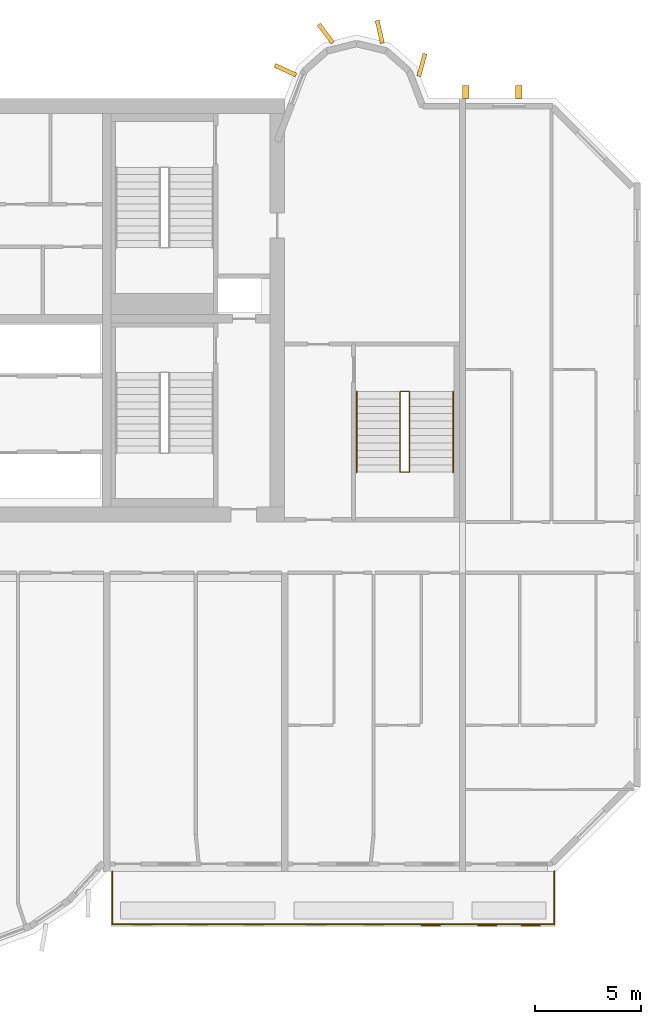
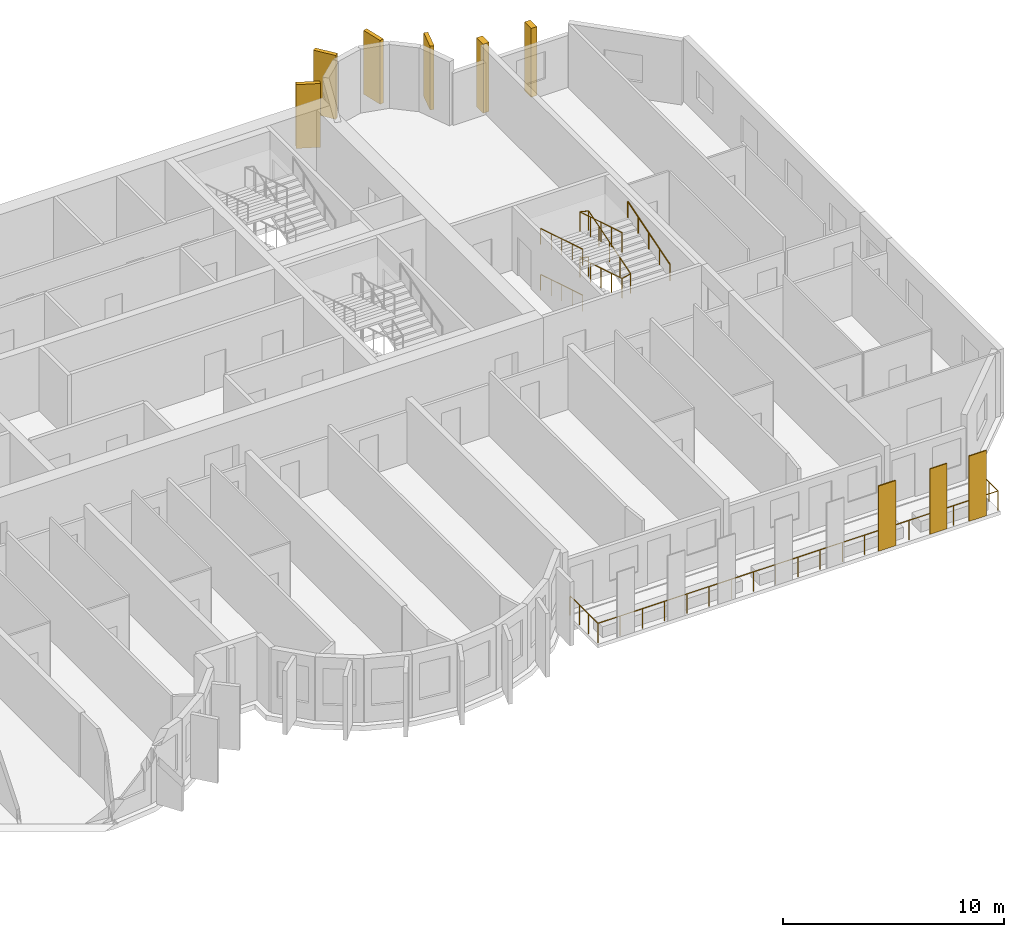
# One storey, part 12 of 13: 9 coverings, 5 railings.
"""IFC4 building model written with IfcOpenShell, lengths in metres."""

from ifc_helpers import new_model, si_unit, direction, frame, origin, origin_2d, place, context, subcontext, project, spatial, rectangle, circle, extrude, source, transform, mapped, material, layer, layer_set, material_profile, profile_set, type_object, element, save


model = new_model("IFC4")

# Units and contexts
model_context = context("Model", 3, precision=1e-05, world=origin(), true_north=direction((0.0, 1.0)))
body_context = subcontext(model_context, "Body", "Model", "MODEL_VIEW")
ifc_project = project(units=[si_unit("LENGTHUNIT", "METRE"), si_unit("AREAUNIT", "SQUARE_METRE"), si_unit("VOLUMEUNIT", "CUBIC_METRE"), si_unit("PLANEANGLEUNIT", "RADIAN"), si_unit("MASSUNIT", "GRAM", prefix="KILO")], contexts=[model_context])

# Site, building, storey
site_placement = place(None, origin())
site = spatial("IfcSite", under=ifc_project, at=site_placement, CompositionType="ELEMENT")
building_placement = place(site_placement, origin())
building = spatial("IfcBuilding", under=site, at=building_placement, Name="Vanashikhar Sky Hotel", CompositionType="ELEMENT")
storey_placement = place(building_placement, frame((0.0, 0.0, 166.800048828125)))
storey = spatial("IfcBuildingStorey", under=building, at=storey_placement, Name="L40", CompositionType="ELEMENT", Elevation=166.800048828125)

# Coverings
ifc_material_1 = material(Name="Terracotta", Category="masonry")
ifc_layer = layer(ifc_material_1, 0.06005859375)
ifc_layer_set = layer_set([ifc_layer], Name="Terracotta baguette screen")
covering_type_1 = type_object("IfcCoveringType", Name="Terracotta baguette screen", PredefinedType="CLADDING", material=ifc_layer_set)
shared_shape_1 = source(origin(), body_context, "Body", "SweptSolid", [
    extrude(rectangle(XDim=0.89990234375, YDim=0.06005859375, at=origin_2d()), origin(), (0.0, 0.0, 1.0), 3.60009765625),
])
for number, where, z_axis, x_axis, name in (
    (1, (82.5, 2.929931640625, -0.050048828125), (0.0, 0.0, 1.0), (1.0, 0.0, 0.0), "Terracotta screen"),
    (2, (85.175048828125, 2.929931640625, -0.050048828125), (0.0, 0.0, 1.0), (1.0, 0.0, 0.0), "Terracotta screen"),
    (3, (87.22509765625, 2.929931640625, -0.050048828125), (0.0, 0.0, 1.0), (1.0, 0.0, 0.0), "Terracotta screen"),
):
    element("IfcCovering", number, at=place(storey_placement, frame(where, z_axis=z_axis, x_axis=x_axis)), inside=storey, type_object=covering_type_1, Name=name, PredefinedType="CLADDING", context=body_context, shape_type="MappedRepresentation", body=[
        mapped(shared_shape_1, transform((0.0, 0.0, 0.0), scale=1.0)),
    ])
ifc_material_2 = material(Name="Concrete M60 dark", Category="concrete")
ifc_material_profile_1 = material_profile(ifc_material_2, rectangle(XDim=1.10009765625, YDim=0.199951171875, at=origin_2d()))
ifc_profile_set_1 = profile_set([ifc_material_profile_1], Name="Rear lobe fin 1100 x 200")
covering_type_2 = type_object("IfcCoveringType", Name="Rear lobe fin 1100 x 200", PredefinedType="CLADDING", material=ifc_profile_set_1)
shared_shape_2 = source(origin(), body_context, "Body", "SweptSolid", [
    extrude(rectangle(XDim=1.10009765625, YDim=0.199951171875, at=origin_2d()), origin(), (0.0, 0.0, 1.0), 3.52001953125),
])
for number, where, z_axis, x_axis, name in (
    (4, (75.63037109375, 43.33447265625, 0.0), (0.0, 0.0, 1.0), (-0.908004291068, 0.418960866193, 0.0), "Fin R2-1"),
    (5, (77.5380859375, 45.06640625, 0.0), (0.0, 0.0, 1.0), (-0.602065892195, 0.798446404874, 0.0), "Fin R2-2"),
    (6, (80.08984375, 45.1455078125, 0.0), (0.0, 0.0, 1.0), (-0.224644935864, 0.974440687159, 0.0), "Fin R2-3"),
    (7, (82.0791015625, 43.580078125, 0.0), (0.0, 0.0, 1.0), (0.262711264409, 0.964874495234, 0.0), "Fin R2-4"),
):
    element("IfcCovering", number, at=place(storey_placement, frame(where, z_axis=z_axis, x_axis=x_axis)), inside=storey, type_object=covering_type_2, Name=name, PredefinedType="CLADDING", context=body_context, shape_type="MappedRepresentation", body=[
        mapped(shared_shape_2, transform((0.0, 0.0, 0.0), scale=1.0)),
    ])

# Railing
ifc_material_3 = material(Name="Stainless steel 316", Category="steel")
railing_type_1 = type_object("IfcRailingType", Name="Balcony guard 1100", PredefinedType="GUARDRAIL", material=ifc_material_3)
shared_shape_3 = source(origin(), body_context, "Body", "SweptSolid", [
    extrude(circle(Radius=0.02392578125, at=origin_2d()), frame((0.0, 0.0, 1.076171875), z_axis=(0.0, -1.0, 0.0), x_axis=(1.0, 0.0, 0.0)), (0.0, 0.0, 1.0), 2.5),
    extrude(circle(Radius=0.02392578125, at=origin_2d()), frame((0.0, -2.5, 1.076171875), z_axis=(1.0, 0.0, 0.0), x_axis=(0.0, 1.0, 0.0)), (0.0, 0.0, 1.0), 20.880126953125),
    extrude(circle(Radius=0.02392578125, at=origin_2d()), frame((20.880126953125, -2.5, 1.076171875), z_axis=(0.0, 1.0, 0.0), x_axis=(-1.0, 0.0, 0.0)), (0.0, 0.0, 1.0), 2.5),
    extrude(circle(Radius=0.02099609375, at=origin_2d()), origin(), (0.0, 0.0, 1.0), 1.052001953125),
    extrude(circle(Radius=0.02099609375, at=origin_2d()), frame((0.0, -0.833251953125, 0.0)), (0.0, 0.0, 1.0), 1.052001953125),
    extrude(circle(Radius=0.02099609375, at=origin_2d()), frame((0.0, -1.666748046875, 0.0)), (0.0, 0.0, 1.0), 1.052001953125),
    extrude(circle(Radius=0.02099609375, at=origin_2d()), frame((0.0, -2.5, 0.0)), (0.0, 0.0, 1.0), 1.052001953125),
    extrude(circle(Radius=0.02099609375, at=origin_2d()), frame((1.159912109375, -2.5, 0.0)), (0.0, 0.0, 1.0), 1.052001953125),
    extrude(circle(Radius=0.02099609375, at=origin_2d()), frame((2.320068359375, -2.5, 0.0)), (0.0, 0.0, 1.0), 1.052001953125),
    extrude(circle(Radius=0.02099609375, at=origin_2d()), frame((3.47998046875, -2.5, 0.0)), (0.0, 0.0, 1.0), 1.052001953125),
    extrude(circle(Radius=0.02099609375, at=origin_2d()), frame((4.64013671875, -2.5, 0.0)), (0.0, 0.0, 1.0), 1.052001953125),
    extrude(circle(Radius=0.02099609375, at=origin_2d()), frame((5.800048828125, -2.5, 0.0)), (0.0, 0.0, 1.0), 1.052001953125),
    extrude(circle(Radius=0.02099609375, at=origin_2d()), frame((6.9599609375, -2.5, 0.0)), (0.0, 0.0, 1.0), 1.052001953125),
    extrude(circle(Radius=0.02099609375, at=origin_2d()), frame((8.1201171875, -2.5, 0.0)), (0.0, 0.0, 1.0), 1.052001953125),
    extrude(circle(Radius=0.02099609375, at=origin_2d()), frame((9.280029296875, -2.5, 0.0)), (0.0, 0.0, 1.0), 1.052001953125),
    extrude(circle(Radius=0.02099609375, at=origin_2d()), frame((10.43994140625, -2.5, 0.0)), (0.0, 0.0, 1.0), 1.052001953125),
    extrude(circle(Radius=0.02099609375, at=origin_2d()), frame((11.60009765625, -2.5, 0.0)), (0.0, 0.0, 1.0), 1.052001953125),
    extrude(circle(Radius=0.02099609375, at=origin_2d()), frame((12.760009765625, -2.5, 0.0)), (0.0, 0.0, 1.0), 1.052001953125),
    extrude(circle(Radius=0.02099609375, at=origin_2d()), frame((13.920166015625, -2.5, 0.0)), (0.0, 0.0, 1.0), 1.052001953125),
    extrude(circle(Radius=0.02099609375, at=origin_2d()), frame((15.080078125, -2.5, 0.0)), (0.0, 0.0, 1.0), 1.052001953125),
    extrude(circle(Radius=0.02099609375, at=origin_2d()), frame((16.239990234375, -2.5, 0.0)), (0.0, 0.0, 1.0), 1.052001953125),
    extrude(circle(Radius=0.02099609375, at=origin_2d()), frame((17.400146484375, -2.5, 0.0)), (0.0, 0.0, 1.0), 1.052001953125),
    extrude(circle(Radius=0.02099609375, at=origin_2d()), frame((18.56005859375, -2.5, 0.0)), (0.0, 0.0, 1.0), 1.052001953125),
    extrude(circle(Radius=0.02099609375, at=origin_2d()), frame((19.72021484375, -2.5, 0.0)), (0.0, 0.0, 1.0), 1.052001953125),
    extrude(circle(Radius=0.02099609375, at=origin_2d()), frame((20.880126953125, -2.5, 0.0)), (0.0, 0.0, 1.0), 1.052001953125),
    extrude(circle(Radius=0.02099609375, at=origin_2d()), frame((20.880126953125, -1.666748046875, 0.0)), (0.0, 0.0, 1.0), 1.052001953125),
    extrude(circle(Radius=0.02099609375, at=origin_2d()), frame((20.880126953125, -0.833251953125, 0.0)), (0.0, 0.0, 1.0), 1.052001953125),
    extrude(circle(Radius=0.02099609375, at=origin_2d()), frame((20.880126953125, 0.0, 0.0)), (0.0, 0.0, 1.0), 1.052001953125),
])
railing_1_placement = place(storey_placement, frame((67.4599609375, 5.5, -0.050048828125)))
element("IfcRailing", 8, at=railing_1_placement, inside=storey, type_object=railing_type_1, Name="Balcony guard", PredefinedType="GUARDRAIL", context=body_context, shape_type="MappedRepresentation", body=[
    mapped(shared_shape_3, transform((0.0, 0.0, 0.0), scale=1.0)),
])

# Coverings
ifc_material_profile_2 = material_profile(ifc_material_2, rectangle(XDim=0.60009765625, YDim=0.300048828125, at=origin_2d()))
ifc_profile_set_2 = profile_set([ifc_material_profile_2], Name="Rear rib 600 x 300")
covering_type_3 = type_object("IfcCoveringType", Name="Rear rib 600 x 300", PredefinedType="CLADDING", material=ifc_profile_set_2)
shared_shape_4 = source(origin(), body_context, "Body", "SweptSolid", [
    extrude(rectangle(XDim=0.60009765625, YDim=0.300048828125, at=origin_2d()), origin(), (0.0, 0.0, 1.0), 3.800048828125),
])
for number, where, z_axis, x_axis, name in (
    (9, (84.14990234375, 42.300048828125, -0.280029296875), (0.0, 0.0, 1.0), (0.0, 1.0, 0.0), "Rear rib"),
    (10, (86.64990234375, 42.300048828125, -0.280029296875), (0.0, 0.0, 1.0), (0.0, 1.0, 0.0), "Rear rib"),
):
    element("IfcCovering", number, at=place(storey_placement, frame(where, z_axis=z_axis, x_axis=x_axis)), inside=storey, type_object=covering_type_3, Name=name, PredefinedType="CLADDING", context=body_context, shape_type="MappedRepresentation", body=[
        mapped(shared_shape_4, transform((0.0, 0.0, 0.0), scale=1.0)),
    ])

# Railings
ifc_material_4 = material(Name="Steel S355", Category="steel")
railing_type_2 = type_object("IfcRailingType", Name="Stair handrail 900", PredefinedType="HANDRAIL", material=ifc_material_4)
shared_shape_5 = source(origin(), body_context, "Body", "SweptSolid", [
    extrude(circle(Radius=0.02392578125, at=origin_2d()), frame((0.0, 0.0, 0.8759765625), z_axis=(0.0, 0.956345846891, 0.292237268557), x_axis=(-1.0, 0.0, 0.0)), (0.0, 0.0, 1.0), 3.97314453125),
    extrude(circle(Radius=0.02099609375, at=origin_2d()), origin(), (0.0, 0.0, 1.0), 0.851806640625),
    extrude(circle(Radius=0.02099609375, at=origin_2d()), frame((0.0, 0.949951171875, 0.290283203125)), (0.0, 0.0, 1.0), 0.851806640625),
    extrude(circle(Radius=0.02099609375, at=origin_2d()), frame((0.0, 1.89990234375, 0.58056640625)), (0.0, 0.0, 1.0), 0.851806640625),
    extrude(circle(Radius=0.02099609375, at=origin_2d()), frame((0.0, 2.849853515625, 0.870849609375)), (0.0, 0.0, 1.0), 0.851806640625),
    extrude(circle(Radius=0.02099609375, at=origin_2d()), frame((0.0, 3.7998046875, 1.1611328125)), (0.0, 0.0, 1.0), 0.851806640625),
])
railing_2_placement = place(storey_placement, frame((83.550048828125, 24.35009765625, 1.3720703125)))
element("IfcRailing", 11, at=railing_2_placement, inside=storey, type_object=railing_type_2, Name="Exit stair 4 handrail", PredefinedType="HANDRAIL", context=body_context, shape_type="MappedRepresentation", body=[
    mapped(shared_shape_5, transform((0.0, 0.0, 0.0), scale=1.0)),
])
shared_shape_6 = source(origin(), body_context, "Body", "SweptSolid", [
    extrude(circle(Radius=0.02392578125, at=origin_2d()), frame((0.0, 0.0, 0.8759765625), z_axis=(0.0, -0.956345846891, 0.292237268557), x_axis=(1.0, 0.0, 0.0)), (0.0, 0.0, 1.0), 3.97314453125),
    extrude(circle(Radius=0.02099609375, at=origin_2d()), origin(), (0.0, 0.0, 1.0), 0.851806640625),
    extrude(circle(Radius=0.02099609375, at=origin_2d()), frame((0.0, -0.949951171875, 0.290283203125)), (0.0, 0.0, 1.0), 0.851806640625),
    extrude(circle(Radius=0.02099609375, at=origin_2d()), frame((0.0, -1.89990234375, 0.58056640625)), (0.0, 0.0, 1.0), 0.851806640625),
    extrude(circle(Radius=0.02099609375, at=origin_2d()), frame((0.0, -2.849853515625, 0.870849609375)), (0.0, 0.0, 1.0), 0.851806640625),
    extrude(circle(Radius=0.02099609375, at=origin_2d()), frame((0.0, -3.7998046875, 1.1611328125)), (0.0, 0.0, 1.0), 0.851806640625),
])
for number, where, name in (
    (12, (79.0, 28.14990234375, 0.10546875), "Exit stair 4 handrail"),
    (13, (79.0, 28.14990234375, 2.638916015625), "Exit stair 4 handrail"),
):
    element("IfcRailing", number, at=place(storey_placement, frame(where)), inside=storey, type_object=railing_type_2, Name=name, PredefinedType="HANDRAIL", context=body_context, shape_type="MappedRepresentation", body=[
        mapped(shared_shape_6, transform((0.0, 0.0, 0.0), scale=1.0)),
    ])
railing_type_3 = type_object("IfcRailingType", Name="Stair guard 1100", PredefinedType="GUARDRAIL", material=ifc_material_4)
shared_shape_7 = source(origin(), body_context, "Body", "SweptSolid", [
    extrude(circle(Radius=0.02392578125, at=origin_2d()), frame((0.0, 0.0, 1.076171875), z_axis=(-0.973610808694, 0.0, 0.228214796178), x_axis=(0.0, -1.0, 0.0)), (0.0, 0.0, 1.0), 0.462158203125),
    extrude(circle(Radius=0.02392578125, at=origin_2d()), frame((-0.449951171875, 0.0, 1.181640625), z_axis=(0.0, -0.956345846891, 0.292237268557), x_axis=(1.0, 0.0, 0.0)), (0.0, 0.0, 1.0), 3.97314453125),
    extrude(circle(Radius=0.02392578125, at=origin_2d()), frame((-0.449951171875, -3.7998046875, 2.3427734375), z_axis=(0.973610808694, 0.0, 0.228214796178), x_axis=(0.0, 1.0, 0.0)), (0.0, 0.0, 1.0), 0.462158203125),
    extrude(circle(Radius=0.02392578125, at=origin_2d()), frame((0.0, -3.7998046875, 2.4482421875), z_axis=(0.0, 0.956345846891, 0.292237268557), x_axis=(-1.0, 0.0, 0.0)), (0.0, 0.0, 1.0), 3.97314453125),
    extrude(circle(Radius=0.02392578125, at=origin_2d()), frame((0.0, 0.0, 3.609375), z_axis=(-0.973493315427, 0.0, 0.228715466945), x_axis=(0.0, -1.0, 0.0)), (0.0, 0.0, 1.0), 0.462158203125),
    extrude(circle(Radius=0.02392578125, at=origin_2d()), frame((-0.449951171875, 0.0, 3.71484375), z_axis=(0.0, -0.956345846891, 0.292237268557), x_axis=(1.0, 0.0, 0.0)), (0.0, 0.0, 1.0), 3.97314453125),
    extrude(circle(Radius=0.02099609375, at=origin_2d()), origin(), (0.0, 0.0, 1.0), 1.052001953125),
    extrude(circle(Radius=0.02099609375, at=origin_2d()), frame((-0.449951171875, 0.0, 0.10546875)), (0.0, 0.0, 1.0), 1.052001953125),
    extrude(circle(Radius=0.02099609375, at=origin_2d()), frame((-0.449951171875, -0.949951171875, 0.395751953125)), (0.0, 0.0, 1.0), 1.052001953125),
    extrude(circle(Radius=0.02099609375, at=origin_2d()), frame((-0.449951171875, -1.89990234375, 0.68603515625)), (0.0, 0.0, 1.0), 1.052001953125),
    extrude(circle(Radius=0.02099609375, at=origin_2d()), frame((-0.449951171875, -2.849853515625, 0.976318359375)), (0.0, 0.0, 1.0), 1.052001953125),
    extrude(circle(Radius=0.02099609375, at=origin_2d()), frame((-0.449951171875, -3.7998046875, 1.2666015625)), (0.0, 0.0, 1.0), 1.052001953125),
    extrude(circle(Radius=0.02099609375, at=origin_2d()), frame((0.0, -3.7998046875, 1.3720703125)), (0.0, 0.0, 1.0), 1.052001953125),
    extrude(circle(Radius=0.02099609375, at=origin_2d()), frame((0.0, -2.849853515625, 1.662353515625)), (0.0, 0.0, 1.0), 1.052001953125),
    extrude(circle(Radius=0.02099609375, at=origin_2d()), frame((0.0, -1.89990234375, 1.95263671875)), (0.0, 0.0, 1.0), 1.052001953125),
    extrude(circle(Radius=0.02099609375, at=origin_2d()), frame((0.0, -0.949951171875, 2.242919921875)), (0.0, 0.0, 1.0), 1.052001953125),
    extrude(circle(Radius=0.02099609375, at=origin_2d()), frame((0.0, 0.0, 2.533203125)), (0.0, 0.0, 1.0), 1.052001953125),
    extrude(circle(Radius=0.02099609375, at=origin_2d()), frame((-0.449951171875, 0.0, 2.638916015625)), (0.0, 0.0, 1.0), 1.052001953125),
    extrude(circle(Radius=0.02099609375, at=origin_2d()), frame((-0.449951171875, -0.949951171875, 2.92919921875)), (0.0, 0.0, 1.0), 1.052001953125),
    extrude(circle(Radius=0.02099609375, at=origin_2d()), frame((-0.449951171875, -1.89990234375, 3.219482421875)), (0.0, 0.0, 1.0), 1.052001953125),
    extrude(circle(Radius=0.02099609375, at=origin_2d()), frame((-0.449951171875, -2.849853515625, 3.509765625)), (0.0, 0.0, 1.0), 1.052001953125),
    extrude(circle(Radius=0.02099609375, at=origin_2d()), frame((-0.449951171875, -3.7998046875, 3.800048828125)), (0.0, 0.0, 1.0), 1.052001953125),
])
railing_3_placement = place(storey_placement, frame((81.5, 28.14990234375, 0.0)))
element("IfcRailing", 14, at=railing_3_placement, inside=storey, type_object=railing_type_3, Name="Exit stair 4 guard", PredefinedType="GUARDRAIL", context=body_context, shape_type="MappedRepresentation", body=[
    mapped(shared_shape_7, transform((0.0, 0.0, 0.0), scale=1.0)),
])

save(model, "model.ifc")
